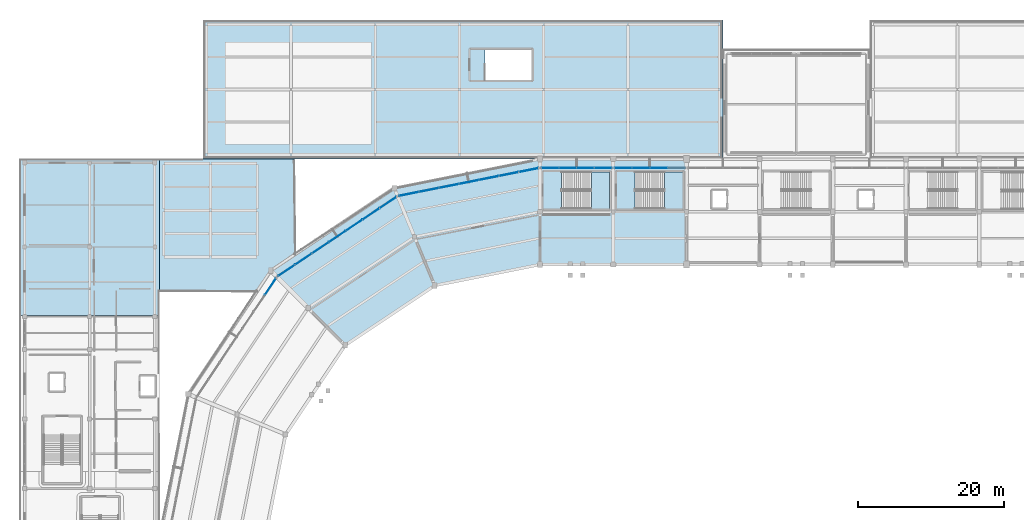
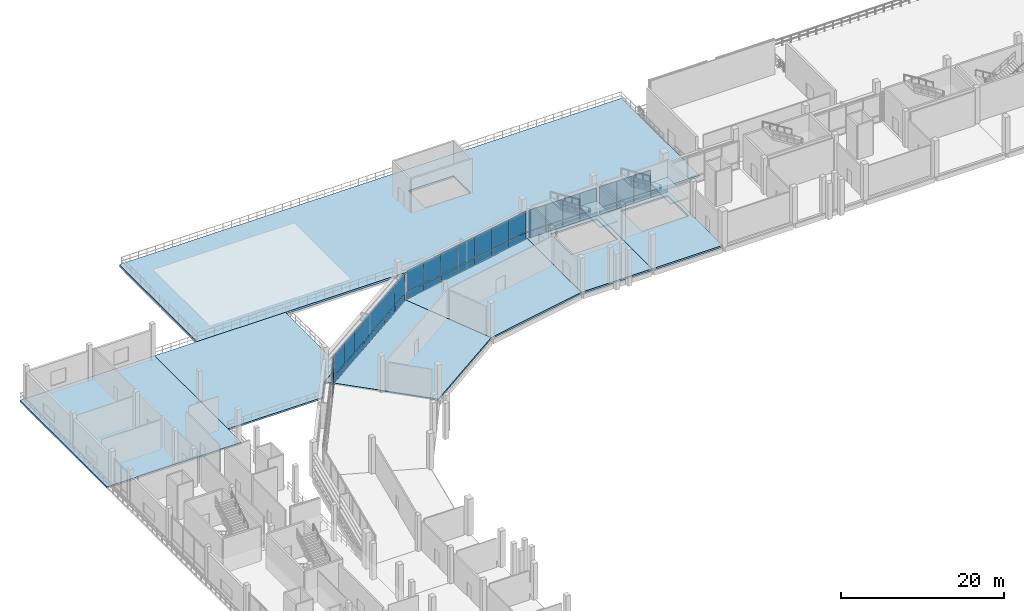
# One storey, part 66 of 111: 45 plates, 9 slabs, 7 elements without a shape of their own.
"""IFC4 building model written with IfcOpenShell, lengths in metres."""

from ifc_helpers import new_model, si_unit, direction, frame, origin, origin_2d, place, context, subcontext, project, spatial, polyline, rectangle, outline, extrude, material, layer, layer_set, type_object, element, aggregate, save


model = new_model("IFC4")

# Units and contexts
model_context = context("Model", 3, precision=1e-05, world=origin(), true_north=direction((0.0, 1.0)))
body_context = subcontext(model_context, "Body", "Model", "MODEL_VIEW")
ifc_project = project(units=[si_unit("LENGTHUNIT", "METRE"), si_unit("AREAUNIT", "SQUARE_METRE"), si_unit("VOLUMEUNIT", "CUBIC_METRE"), si_unit("PLANEANGLEUNIT", "RADIAN"), si_unit("MASSUNIT", "GRAM", prefix="KILO")], contexts=[model_context])

# Site, building, storey
site_placement = place(None, origin())
site = spatial("IfcSite", under=ifc_project, at=site_placement, CompositionType="ELEMENT")
building_placement = place(site_placement, origin())
building = spatial("IfcBuilding", under=site, at=building_placement, Name="Candeia Ridge Stadium", CompositionType="ELEMENT")
storey_placement = place(building_placement, frame((0.0, 0.0, 16.199951171875)))
storey = spatial("IfcBuildingStorey", under=building, at=storey_placement, Name="L03", CompositionType="ELEMENT", Elevation=16.199951171875)

# Stair, slab
ifc_material_1 = material(Name="Concrete C40/50", Category="concrete")
stair_type = type_object("IfcStairType", Name="Enclosed Core Half-Turn Stair 2450", PredefinedType="HALF_TURN_STAIR", material=ifc_material_1)
stair_1_placement = place(storey_placement, origin())
stair_1 = element("IfcStair", 1, at=stair_1_placement, inside=storey, type_object=stair_type, Name="L03 Enclosed exit stair ST01", PredefinedType="HALF_TURN_STAIR")
ifc_layer_1 = layer(ifc_material_1, 0.199951171875, Name="Concrete C40/50", Category="concrete")
ifc_layer_set_1 = layer_set([ifc_layer_1], Name="Concrete C40/50")
slab_type_1 = type_object("IfcSlabType", Name="Core Stair Landing Slab 200", PredefinedType="LANDING", material=ifc_layer_set_1)
slab_1_placement = place(storey_placement, frame((0.0, 0.0, 2.5)))
slab_1 = element("IfcSlab", 2, at=slab_1_placement, type_object=slab_type_1, Name="ST01 landing 1", PredefinedType="LANDING", context=body_context, shape_type="SweptSolid", body=[
    extrude(outline(polyline([(78.010009765625, 140.199951171875), (80.5, 140.199951171875), (80.5, 145.25), (78.010009765625, 145.25), (78.010009765625, 140.199951171875)])), origin(), (0.0, 0.0, 1.0), 0.199951171875),
])
aggregate(stair_1, [slab_1])

stair_2_placement = place(storey_placement, origin())
stair_2 = element("IfcStair", 3, at=stair_2_placement, inside=storey, type_object=stair_type, Name="L03 Enclosed exit stair ST09", PredefinedType="HALF_TURN_STAIR")
slab_2_placement = place(storey_placement, frame((0.0, 0.0, 2.5)))
slab_2 = element("IfcSlab", 4, at=slab_2_placement, type_object=slab_type_1, Name="ST09 landing 1", PredefinedType="LANDING", context=body_context, shape_type="SweptSolid", body=[
    extrude(outline(polyline([(88.010009765625, 140.199951171875), (90.5, 140.199951171875), (90.5, 145.25), (88.010009765625, 145.25), (88.010009765625, 140.199951171875)])), origin(), (0.0, 0.0, 1.0), 0.199951171875),
])
aggregate(stair_2, [slab_2])

# Slabs
ifc_layer_2 = layer(ifc_material_1, 0.25, Name="Concrete C40/50", Category="concrete")
ifc_layer_set_2 = layer_set([ifc_layer_2], Name="Concrete C40/50")
slab_type_2 = type_object("IfcSlabType", Name="Hospitality & Museum Slab 250", PredefinedType="FLOOR", material=ifc_layer_set_2)
slab_3_placement = place(storey_placement, frame((0.0, 0.0, -0.25)))
element("IfcSlab", 5, at=slab_3_placement, inside=storey, type_object=slab_type_2, Name="Bowl concourse sector slab L03 bay 06 SLB-L03-0114", PredefinedType="FLOOR", context=body_context, shape_type="SweptSolid", body=[
    extrude(outline(polyline([(81.0, 132.60009765625), (81.0, 147.0), (91.0, 147.0), (91.0, 132.60009765625), (81.0, 132.60009765625)]), holes=[polyline([(83.95068359375, 140.199951171875), (90.5, 140.199951171875), (90.5, 145.25), (83.95068359375, 145.25), (83.95068359375, 140.199951171875)])]), origin(), (0.0, 0.0, 1.0), 0.25),
])
slab_4_placement = place(storey_placement, frame((0.0, 0.0, -0.25)))
element("IfcSlab", 6, at=slab_4_placement, inside=storey, type_object=slab_type_2, Name="Bowl concourse sector slab L03 bay 07 SLB-L03-0115", PredefinedType="FLOOR", context=body_context, shape_type="SweptSolid", body=[
    extrude(outline(polyline([(71.0, 132.60009765625), (71.0, 147.0), (81.0, 147.0), (81.0, 132.60009765625), (71.0, 132.60009765625)]), holes=[polyline([(73.95068359375, 140.199951171875), (80.5, 140.199951171875), (80.5, 145.25), (73.95068359375, 145.25), (73.95068359375, 140.199951171875)])]), origin(), (0.0, 0.0, 1.0), 0.25),
])
slab_5_placement = place(storey_placement, frame((0.0, 0.0, -0.25)))
element("IfcSlab", 7, at=slab_5_placement, inside=storey, type_object=slab_type_2, Name="Bowl concourse sector slab L03 bay 08 SLB-L03-0116", PredefinedType="FLOOR", context=body_context, shape_type="SweptSolid", body=[
    extrude(outline(polyline([(56.611083984375, 129.73779296875), (51.1005859375, 143.041748046875), (71.0, 147.0), (71.0, 132.60009765625), (56.611083984375, 129.73779296875)])), origin(), (0.0, 0.0, 1.0), 0.25),
])
slab_6_placement = place(storey_placement, frame((0.0, 0.0, -0.25)))
element("IfcSlab", 8, at=slab_6_placement, inside=storey, type_object=slab_type_2, Name="Bowl concourse sector slab L03 bay 09 SLB-L03-0117", PredefinedType="FLOOR", context=body_context, shape_type="SweptSolid", body=[
    extrude(outline(polyline([(44.446044921875, 121.609375), (34.263671875, 131.791748046875), (51.1005859375, 143.041748046875), (56.611083984375, 129.73779296875), (44.446044921875, 121.609375)])), origin(), (0.0, 0.0, 1.0), 0.25),
])
slab_7_placement = place(storey_placement, frame((0.0, 0.0, -0.25)))
element("IfcSlab", 9, at=slab_7_placement, inside=storey, type_object=slab_type_2, Name="Wing floor slab west SLB-L03-0281", PredefinedType="FLOOR", context=body_context, shape_type="SweptSolid", body=[
    extrude(outline(polyline([(0.0, 125.666748046875), (0.0, 147.0), (19.0, 147.0), (19.0, 125.666748046875), (0.0, 125.666748046875)])), origin(), (0.0, 0.0, 1.0), 0.25),
])
slab_8_placement = place(storey_placement, frame((0.0, 0.0, -0.25)))
element("IfcSlab", 10, at=slab_8_placement, inside=storey, type_object=slab_type_2, Name="Wing floor slab sp_nw SLB-L03-0294", PredefinedType="FLOOR", context=body_context, shape_type="SweptSolid", body=[
    extrude(outline(polyline([(19.0, 147.0), (37.5, 147.0), (37.5, 133.960205078125), (34.227783203125, 131.773681640625), (34.227294921875, 131.7734375), (34.226806640625, 131.773193359375), (34.2265625, 131.772705078125), (34.226318359375, 131.772216796875), (32.373779296875, 129.0), (19.0, 129.0), (19.0, 147.0)])), origin(), (0.0, 0.0, 1.0), 0.25),
])

# Curtain wall, plates
ifc_material_2 = material(Name="Aluminium Anodized Warm Bronze", Category="aluminium")
curtain_wall_type = type_object("IfcCurtainWallType", Name="Concourse Recessed Unitised Curtain Wall", PredefinedType="NOTDEFINED", material=ifc_material_2)
curtain_wall_1_placement = place(storey_placement, origin())
curtain_wall_1 = element("IfcCurtainWall", 11, at=curtain_wall_1_placement, inside=storey, type_object=curtain_wall_type, Name="Unitised curtain wall CW-BWL-L03-05", PredefinedType="NOTDEFINED")
ifc_material_3 = material(Name="Aluminium Insulated Spandrel", Category="aluminium")
ifc_layer_3 = layer(ifc_material_3, 0.06494140625, Name="Aluminium Insulated Spandrel", Category="aluminium")
ifc_layer_set_3 = layer_set([ifc_layer_3], Name="Aluminium Insulated Spandrel")
plate_type_1 = type_object("IfcPlateType", Name="Insulated Bronze Spandrel Panel SP1", PredefinedType="CURTAIN_PANEL", material=ifc_layer_set_3)
plate_1_placement = place(storey_placement, frame((89.614990234375, 145.800048828125, 0.0400390625), z_axis=(0.0, 0.0, 1.0), x_axis=(-1.0, 0.0, 0.0)))
plate_1 = element("IfcPlate", 12, at=plate_1_placement, type_object=plate_type_1, Name="Curtain wall spandrel panel CW-BWL-L03-05-SP0", PredefinedType="CURTAIN_PANEL", context=body_context, shape_type="SweptSolid", body=[
    extrude(rectangle(XDim=2.340087890625, YDim=0.06494140625, at=origin_2d()), origin(), (0.0, 0.0, 1.0), 0.97119140625),
])
plate_2_placement = place(storey_placement, frame((87.205078125, 145.800048828125, 0.0400390625), z_axis=(0.0, 0.0, 1.0), x_axis=(-1.0, 0.0, 0.0)))
plate_2 = element("IfcPlate", 13, at=plate_2_placement, type_object=plate_type_1, Name="Curtain wall spandrel panel CW-BWL-L03-05-SP1", PredefinedType="CURTAIN_PANEL", context=body_context, shape_type="SweptSolid", body=[
    extrude(rectangle(XDim=2.340087890625, YDim=0.06494140625, at=origin_2d()), origin(), (0.0, 0.0, 1.0), 0.97119140625),
])
plate_3_placement = place(storey_placement, frame((84.794921875, 145.800048828125, 0.0400390625), z_axis=(0.0, 0.0, 1.0), x_axis=(-1.0, 0.0, 0.0)))
plate_3 = element("IfcPlate", 14, at=plate_3_placement, type_object=plate_type_1, Name="Curtain wall spandrel panel CW-BWL-L03-05-SP2", PredefinedType="CURTAIN_PANEL", context=body_context, shape_type="SweptSolid", body=[
    extrude(rectangle(XDim=2.340087890625, YDim=0.06494140625, at=origin_2d()), origin(), (0.0, 0.0, 1.0), 0.97119140625),
])
plate_4_placement = place(storey_placement, frame((82.385009765625, 145.800048828125, 0.0400390625), z_axis=(0.0, 0.0, 1.0), x_axis=(-1.0, 0.0, 0.0)))
plate_4 = element("IfcPlate", 15, at=plate_4_placement, type_object=plate_type_1, Name="Curtain wall spandrel panel CW-BWL-L03-05-SP3", PredefinedType="CURTAIN_PANEL", context=body_context, shape_type="SweptSolid", body=[
    extrude(rectangle(XDim=2.340087890625, YDim=0.06494140625, at=origin_2d()), origin(), (0.0, 0.0, 1.0), 0.97119140625),
])

# Curtain wall, plate
curtain_wall_2_placement = place(storey_placement, origin())
curtain_wall_2 = element("IfcCurtainWall", 16, at=curtain_wall_2_placement, inside=storey, type_object=curtain_wall_type, Name="Unitised curtain wall CW-BWL-L03-09", PredefinedType="NOTDEFINED")
plate_5_placement = place(storey_placement, frame((34.206787109375, 129.615478515625, 0.0400390625), z_axis=(0.0, 0.0, 1.0), x_axis=(-0.555571447533, -0.831468800789, 0.0)))
plate_5 = element("IfcPlate", 17, at=plate_5_placement, type_object=plate_type_1, Name="Curtain wall spandrel panel CW-BWL-L03-09-SP0", PredefinedType="CURTAIN_PANEL", context=body_context, shape_type="SweptSolid", body=[
    extrude(rectangle(XDim=2.710205078125, YDim=0.06494140625, at=origin_2d()), origin(), (0.0, 0.0, 1.0), 0.97119140625),
])

# Curtain wall, plates
curtain_wall_3_placement = place(storey_placement, origin())
curtain_wall_3 = element("IfcCurtainWall", 18, at=curtain_wall_3_placement, inside=storey, type_object=curtain_wall_type, Name="Unitised curtain wall CW-BWL-L03-06", PredefinedType="NOTDEFINED")
ifc_layer_4 = layer(ifc_material_3, 0.06494140625, Name="Aluminium Insulated Spandrel", Category="aluminium")
ifc_layer_set_4 = layer_set([ifc_layer_4], Name="Aluminium Insulated Spandrel")
plate_type_2 = type_object("IfcPlateType", Name="Insulated Bronze Spandrel Panel SP2", PredefinedType="CURTAIN_PANEL", material=ifc_layer_set_4)
plate_6_placement = place(storey_placement, frame((79.614990234375, 145.800048828125, 0.0400390625), z_axis=(0.0, 0.0, 1.0), x_axis=(-1.0, 0.0, 0.0)))
plate_6 = element("IfcPlate", 19, at=plate_6_placement, type_object=plate_type_2, Name="Curtain wall spandrel panel CW-BWL-L03-06-SP0", PredefinedType="CURTAIN_PANEL", context=body_context, shape_type="SweptSolid", body=[
    extrude(rectangle(XDim=2.340087890625, YDim=0.06494140625, at=origin_2d()), origin(), (0.0, 0.0, 1.0), 0.97119140625),
])
plate_7_placement = place(storey_placement, frame((77.205078125, 145.800048828125, 0.0400390625), z_axis=(0.0, 0.0, 1.0), x_axis=(-1.0, 0.0, 0.0)))
plate_7 = element("IfcPlate", 20, at=plate_7_placement, type_object=plate_type_2, Name="Curtain wall spandrel panel CW-BWL-L03-06-SP1", PredefinedType="CURTAIN_PANEL", context=body_context, shape_type="SweptSolid", body=[
    extrude(rectangle(XDim=2.340087890625, YDim=0.06494140625, at=origin_2d()), origin(), (0.0, 0.0, 1.0), 0.97119140625),
])
plate_8_placement = place(storey_placement, frame((74.794921875, 145.800048828125, 0.0400390625), z_axis=(0.0, 0.0, 1.0), x_axis=(-1.0, 0.0, 0.0)))
plate_8 = element("IfcPlate", 21, at=plate_8_placement, type_object=plate_type_2, Name="Curtain wall spandrel panel CW-BWL-L03-06-SP2", PredefinedType="CURTAIN_PANEL", context=body_context, shape_type="SweptSolid", body=[
    extrude(rectangle(XDim=2.340087890625, YDim=0.06494140625, at=origin_2d()), origin(), (0.0, 0.0, 1.0), 0.97119140625),
])
plate_9_placement = place(storey_placement, frame((72.385009765625, 145.800048828125, 0.0400390625), z_axis=(0.0, 0.0, 1.0), x_axis=(-1.0, 0.0, 0.0)))
plate_9 = element("IfcPlate", 22, at=plate_9_placement, type_object=plate_type_2, Name="Curtain wall spandrel panel CW-BWL-L03-06-SP3", PredefinedType="CURTAIN_PANEL", context=body_context, shape_type="SweptSolid", body=[
    extrude(rectangle(XDim=2.340087890625, YDim=0.06494140625, at=origin_2d()), origin(), (0.0, 0.0, 1.0), 0.97119140625),
])

curtain_wall_4_placement = place(storey_placement, origin())
curtain_wall_4 = element("IfcCurtainWall", 23, at=curtain_wall_4_placement, inside=storey, type_object=curtain_wall_type, Name="Unitised curtain wall CW-BWL-L03-07", PredefinedType="NOTDEFINED")
ifc_layer_5 = layer(ifc_material_3, 0.06494140625, Name="Aluminium Insulated Spandrel", Category="aluminium")
ifc_layer_set_5 = layer_set([ifc_layer_5], Name="Aluminium Insulated Spandrel")
plate_type_3 = type_object("IfcPlateType", Name="Insulated Bronze Spandrel Panel SP4", PredefinedType="CURTAIN_PANEL", material=ifc_layer_set_5)
plate_10_placement = place(storey_placement, frame((69.460205078125, 145.49365234375, 0.0400390625), z_axis=(0.0, 0.0, 1.0), x_axis=(-0.980785280696, -0.195090320544, 0.0)))
plate_10 = element("IfcPlate", 24, at=plate_10_placement, type_object=plate_type_3, Name="Curtain wall spandrel panel CW-BWL-L03-07-SP0", PredefinedType="CURTAIN_PANEL", context=body_context, shape_type="SweptSolid", body=[
    extrude(rectangle(XDim=2.710205078125, YDim=0.06494140625, at=origin_2d()), origin(), (0.0, 0.0, 1.0), 0.981201171875),
])
plate_11_placement = place(storey_placement, frame((66.7333984375, 144.951416015625, 0.0400390625), z_axis=(0.0, 0.0, 1.0), x_axis=(-0.980785280696, -0.195090320544, 0.0)))
plate_11 = element("IfcPlate", 25, at=plate_11_placement, type_object=plate_type_3, Name="Curtain wall spandrel panel CW-BWL-L03-07-SP1", PredefinedType="CURTAIN_PANEL", context=body_context, shape_type="SweptSolid", body=[
    extrude(rectangle(XDim=2.710205078125, YDim=0.06494140625, at=origin_2d()), origin(), (0.0, 0.0, 1.0), 0.981201171875),
])
plate_12_placement = place(storey_placement, frame((64.006591796875, 144.408935546875, 0.0400390625), z_axis=(0.0, 0.0, 1.0), x_axis=(-0.980785280696, -0.195090320544, 0.0)))
plate_12 = element("IfcPlate", 26, at=plate_12_placement, type_object=plate_type_3, Name="Curtain wall spandrel panel CW-BWL-L03-07-SP2", PredefinedType="CURTAIN_PANEL", context=body_context, shape_type="SweptSolid", body=[
    extrude(rectangle(XDim=2.710205078125, YDim=0.06494140625, at=origin_2d()), origin(), (0.0, 0.0, 1.0), 0.981201171875),
])
plate_13_placement = place(storey_placement, frame((61.27978515625, 143.86669921875, 0.0400390625), z_axis=(0.0, 0.0, 1.0), x_axis=(-0.980785280696, -0.195090320544, 0.0)))
plate_13 = element("IfcPlate", 27, at=plate_13_placement, type_object=plate_type_3, Name="Curtain wall spandrel panel CW-BWL-L03-07-SP3", PredefinedType="CURTAIN_PANEL", context=body_context, shape_type="SweptSolid", body=[
    extrude(rectangle(XDim=2.710205078125, YDim=0.06494140625, at=origin_2d()), origin(), (0.0, 0.0, 1.0), 0.981201171875),
])
plate_14_placement = place(storey_placement, frame((58.552978515625, 143.32421875, 0.0400390625), z_axis=(0.0, 0.0, 1.0), x_axis=(-0.980785280696, -0.195090320544, 0.0)))
plate_14 = element("IfcPlate", 28, at=plate_14_placement, type_object=plate_type_3, Name="Curtain wall spandrel panel CW-BWL-L03-07-SP4", PredefinedType="CURTAIN_PANEL", context=body_context, shape_type="SweptSolid", body=[
    extrude(rectangle(XDim=2.710205078125, YDim=0.06494140625, at=origin_2d()), origin(), (0.0, 0.0, 1.0), 0.981201171875),
])
plate_15_placement = place(storey_placement, frame((55.826416015625, 142.78173828125, 0.0400390625), z_axis=(0.0, 0.0, 1.0), x_axis=(-0.980785280696, -0.195090320544, 0.0)))
plate_15 = element("IfcPlate", 29, at=plate_15_placement, type_object=plate_type_3, Name="Curtain wall spandrel panel CW-BWL-L03-07-SP5", PredefinedType="CURTAIN_PANEL", context=body_context, shape_type="SweptSolid", body=[
    extrude(rectangle(XDim=2.710205078125, YDim=0.06494140625, at=origin_2d()), origin(), (0.0, 0.0, 1.0), 0.981201171875),
])
plate_16_placement = place(storey_placement, frame((53.099609375, 142.239501953125, 0.0400390625), z_axis=(0.0, 0.0, 1.0), x_axis=(-0.980785280696, -0.195090320544, 0.0)))
plate_16 = element("IfcPlate", 30, at=plate_16_placement, type_object=plate_type_3, Name="Curtain wall spandrel panel CW-BWL-L03-07-SP6", PredefinedType="CURTAIN_PANEL", context=body_context, shape_type="SweptSolid", body=[
    extrude(rectangle(XDim=2.710205078125, YDim=0.06494140625, at=origin_2d()), origin(), (0.0, 0.0, 1.0), 0.981201171875),
])

curtain_wall_5_placement = place(storey_placement, origin())
curtain_wall_5 = element("IfcCurtainWall", 31, at=curtain_wall_5_placement, inside=storey, type_object=curtain_wall_type, Name="Unitised curtain wall CW-BWL-L03-08", PredefinedType="NOTDEFINED")
ifc_layer_6 = layer(ifc_material_3, 0.06494140625, Name="Aluminium Insulated Spandrel", Category="aluminium")
ifc_layer_set_6 = layer_set([ifc_layer_6], Name="Aluminium Insulated Spandrel")
plate_type_4 = type_object("IfcPlateType", Name="Insulated Bronze Spandrel Panel SP5", PredefinedType="CURTAIN_PANEL", material=ifc_layer_set_6)
plate_17_placement = place(storey_placement, frame((50.254150390625, 141.060791015625, 0.0400390625), z_axis=(0.0, 0.0, 1.0), x_axis=(-0.831468800789, -0.555571447533, 0.0)))
plate_17 = element("IfcPlate", 32, at=plate_17_placement, type_object=plate_type_4, Name="Curtain wall spandrel panel CW-BWL-L03-08-SP0", PredefinedType="CURTAIN_PANEL", context=body_context, shape_type="SweptSolid", body=[
    extrude(rectangle(XDim=2.710205078125, YDim=0.06494140625, at=origin_2d()), origin(), (0.0, 0.0, 1.0), 0.97119140625),
])
plate_18_placement = place(storey_placement, frame((47.942626953125, 139.51611328125, 0.0400390625), z_axis=(0.0, 0.0, 1.0), x_axis=(-0.831468800789, -0.555571447533, 0.0)))
plate_18 = element("IfcPlate", 33, at=plate_18_placement, type_object=plate_type_4, Name="Curtain wall spandrel panel CW-BWL-L03-08-SP1", PredefinedType="CURTAIN_PANEL", context=body_context, shape_type="SweptSolid", body=[
    extrude(rectangle(XDim=2.710205078125, YDim=0.06494140625, at=origin_2d()), origin(), (0.0, 0.0, 1.0), 0.97119140625),
])
plate_19_placement = place(storey_placement, frame((45.630859375, 137.9716796875, 0.0400390625), z_axis=(0.0, 0.0, 1.0), x_axis=(-0.831468800789, -0.555571447533, 0.0)))
plate_19 = element("IfcPlate", 34, at=plate_19_placement, type_object=plate_type_4, Name="Curtain wall spandrel panel CW-BWL-L03-08-SP2", PredefinedType="CURTAIN_PANEL", context=body_context, shape_type="SweptSolid", body=[
    extrude(rectangle(XDim=2.710205078125, YDim=0.06494140625, at=origin_2d()), origin(), (0.0, 0.0, 1.0), 0.97119140625),
])
plate_20_placement = place(storey_placement, frame((43.3193359375, 136.427001953125, 0.0400390625), z_axis=(0.0, 0.0, 1.0), x_axis=(-0.831468800789, -0.555571447533, 0.0)))
plate_20 = element("IfcPlate", 35, at=plate_20_placement, type_object=plate_type_4, Name="Curtain wall spandrel panel CW-BWL-L03-08-SP3", PredefinedType="CURTAIN_PANEL", context=body_context, shape_type="SweptSolid", body=[
    extrude(rectangle(XDim=2.710205078125, YDim=0.06494140625, at=origin_2d()), origin(), (0.0, 0.0, 1.0), 0.97119140625),
])
plate_21_placement = place(storey_placement, frame((41.0078125, 134.882568359375, 0.0400390625), z_axis=(0.0, 0.0, 1.0), x_axis=(-0.831468800789, -0.555571447533, 0.0)))
plate_21 = element("IfcPlate", 36, at=plate_21_placement, type_object=plate_type_4, Name="Curtain wall spandrel panel CW-BWL-L03-08-SP4", PredefinedType="CURTAIN_PANEL", context=body_context, shape_type="SweptSolid", body=[
    extrude(rectangle(XDim=2.710205078125, YDim=0.06494140625, at=origin_2d()), origin(), (0.0, 0.0, 1.0), 0.97119140625),
])
plate_22_placement = place(storey_placement, frame((38.696044921875, 133.337890625, 0.0400390625), z_axis=(0.0, 0.0, 1.0), x_axis=(-0.831468800789, -0.555571447533, 0.0)))
plate_22 = element("IfcPlate", 37, at=plate_22_placement, type_object=plate_type_4, Name="Curtain wall spandrel panel CW-BWL-L03-08-SP5", PredefinedType="CURTAIN_PANEL", context=body_context, shape_type="SweptSolid", body=[
    extrude(rectangle(XDim=2.710205078125, YDim=0.06494140625, at=origin_2d()), origin(), (0.0, 0.0, 1.0), 0.97119140625),
])
plate_23_placement = place(storey_placement, frame((36.384521484375, 131.793212890625, 0.0400390625), z_axis=(0.0, 0.0, 1.0), x_axis=(-0.831468800789, -0.555571447533, 0.0)))
plate_23 = element("IfcPlate", 38, at=plate_23_placement, type_object=plate_type_4, Name="Curtain wall spandrel panel CW-BWL-L03-08-SP6", PredefinedType="CURTAIN_PANEL", context=body_context, shape_type="SweptSolid", body=[
    extrude(rectangle(XDim=2.710205078125, YDim=0.06494140625, at=origin_2d()), origin(), (0.0, 0.0, 1.0), 0.97119140625),
])

# Slab
ifc_layer_7 = layer(ifc_material_1, 0.280029296875, Name="Concrete C40/50", Category="concrete")
ifc_layer_set_7 = layer_set([ifc_layer_7], Name="Concrete C40/50")
slab_type_3 = type_object("IfcSlabType", Name="Planted Roof Garden Deck 280", PredefinedType="ROOF", material=ifc_layer_set_7)
slab_9_placement = place(storey_placement, frame((0.0, 0.0, -0.280029296875)))
element("IfcSlab", 39, at=slab_9_placement, inside=storey, type_object=slab_type_3, Name="Planted roof garden slab SLB-L03-0291", PredefinedType="ROOF", context=body_context, shape_type="SweptSolid", body=[
    extrude(outline(polyline([(25.0, 147.0), (25.0, 166.0), (96.0, 166.0), (96.0, 147.0), (25.0, 147.0)]), holes=[polyline([(63.50048828125, 157.800048828125), (69.89990234375, 157.800048828125), (69.89990234375, 161.949951171875), (63.50048828125, 161.949951171875), (63.50048828125, 157.800048828125)])]), origin(), (0.0, 0.0, 1.0), 0.280029296875),
])

# Plate
ifc_material_4 = material(Name="Tempered Low-E Double Glazing", Category="glass")
ifc_layer_8 = layer(ifc_material_4, 0.035888671875, Name="Tempered Low-E Double Glazing", Category="glass")
ifc_layer_set_8 = layer_set([ifc_layer_8], Name="Tempered Low-E Double Glazing")
plate_type_5 = type_object("IfcPlateType", Name="Solar Control Vision Glass Panel GP1", PredefinedType="CURTAIN_PANEL", material=ifc_layer_set_8)
plate_24_placement = place(storey_placement, frame((34.206787109375, 129.615478515625, 1.09130859375), z_axis=(0.0, 0.0, 1.0), x_axis=(-0.555571447533, -0.831468800789, 0.0)))
plate_24 = element("IfcPlate", 40, at=plate_24_placement, type_object=plate_type_5, Name="Curtain wall vision glass panel CW-BWL-L03-09-GP0", PredefinedType="CURTAIN_PANEL", context=body_context, shape_type="SweptSolid", body=[
    extrude(rectangle(XDim=2.710205078125, YDim=0.035888671875, at=origin_2d()), origin(), (0.0, 0.0, 1.0), 3.07373046875),
])

aggregate(curtain_wall_2, [plate_5, plate_24])

ifc_layer_9 = layer(ifc_material_4, 0.035888671875, Name="Tempered Low-E Double Glazing", Category="glass")
ifc_layer_set_9 = layer_set([ifc_layer_9], Name="Tempered Low-E Double Glazing")
plate_type_6 = type_object("IfcPlateType", Name="Solar Control Vision Glass Panel GP5", PredefinedType="CURTAIN_PANEL", material=ifc_layer_set_9)
plate_25_placement = place(storey_placement, frame((87.205078125, 145.800048828125, 1.09130859375), z_axis=(0.0, 0.0, 1.0), x_axis=(-1.0, 0.0, 0.0)))
plate_25 = element("IfcPlate", 41, at=plate_25_placement, type_object=plate_type_6, Name="Curtain wall vision glass panel CW-BWL-L03-05-GP1", PredefinedType="CURTAIN_PANEL", context=body_context, shape_type="SweptSolid", body=[
    extrude(rectangle(XDim=2.340087890625, YDim=0.035888671875, at=origin_2d()), origin(), (0.0, 0.0, 1.0), 3.07373046875),
])

plate_26_placement = place(storey_placement, frame((84.794921875, 145.800048828125, 1.09130859375), z_axis=(0.0, 0.0, 1.0), x_axis=(-1.0, 0.0, 0.0)))
plate_26 = element("IfcPlate", 42, at=plate_26_placement, type_object=plate_type_6, Name="Curtain wall vision glass panel CW-BWL-L03-05-GP2", PredefinedType="CURTAIN_PANEL", context=body_context, shape_type="SweptSolid", body=[
    extrude(rectangle(XDim=2.340087890625, YDim=0.035888671875, at=origin_2d()), origin(), (0.0, 0.0, 1.0), 3.07373046875),
])

plate_27_placement = place(storey_placement, frame((82.385009765625, 145.800048828125, 1.09130859375), z_axis=(0.0, 0.0, 1.0), x_axis=(-1.0, 0.0, 0.0)))
plate_27 = element("IfcPlate", 43, at=plate_27_placement, type_object=plate_type_6, Name="Curtain wall vision glass panel CW-BWL-L03-05-GP3", PredefinedType="CURTAIN_PANEL", context=body_context, shape_type="SweptSolid", body=[
    extrude(rectangle(XDim=2.340087890625, YDim=0.035888671875, at=origin_2d()), origin(), (0.0, 0.0, 1.0), 3.07373046875),
])

aggregate(curtain_wall_1, [plate_1, plate_2, plate_25, plate_3, plate_26, plate_4, plate_27])

ifc_layer_10 = layer(ifc_material_4, 0.035888671875, Name="Tempered Low-E Double Glazing", Category="glass")
ifc_layer_set_10 = layer_set([ifc_layer_10], Name="Tempered Low-E Double Glazing")
plate_type_7 = type_object("IfcPlateType", Name="Solar Control Vision Glass Panel GP6", PredefinedType="CURTAIN_PANEL", material=ifc_layer_set_10)
plate_28_placement = place(storey_placement, frame((79.614990234375, 145.800048828125, 1.09130859375), z_axis=(0.0, 0.0, 1.0), x_axis=(-1.0, 0.0, 0.0)))
plate_28 = element("IfcPlate", 44, at=plate_28_placement, type_object=plate_type_7, Name="Curtain wall vision glass panel CW-BWL-L03-06-GP0", PredefinedType="CURTAIN_PANEL", context=body_context, shape_type="SweptSolid", body=[
    extrude(rectangle(XDim=2.340087890625, YDim=0.035888671875, at=origin_2d()), origin(), (0.0, 0.0, 1.0), 3.07373046875),
])

plate_29_placement = place(storey_placement, frame((77.205078125, 145.800048828125, 1.09130859375), z_axis=(0.0, 0.0, 1.0), x_axis=(-1.0, 0.0, 0.0)))
plate_29 = element("IfcPlate", 45, at=plate_29_placement, type_object=plate_type_7, Name="Curtain wall vision glass panel CW-BWL-L03-06-GP1", PredefinedType="CURTAIN_PANEL", context=body_context, shape_type="SweptSolid", body=[
    extrude(rectangle(XDim=2.340087890625, YDim=0.035888671875, at=origin_2d()), origin(), (0.0, 0.0, 1.0), 3.07373046875),
])

plate_30_placement = place(storey_placement, frame((74.794921875, 145.800048828125, 1.09130859375), z_axis=(0.0, 0.0, 1.0), x_axis=(-1.0, 0.0, 0.0)))
plate_30 = element("IfcPlate", 46, at=plate_30_placement, type_object=plate_type_7, Name="Curtain wall vision glass panel CW-BWL-L03-06-GP2", PredefinedType="CURTAIN_PANEL", context=body_context, shape_type="SweptSolid", body=[
    extrude(rectangle(XDim=2.340087890625, YDim=0.035888671875, at=origin_2d()), origin(), (0.0, 0.0, 1.0), 3.07373046875),
])

plate_31_placement = place(storey_placement, frame((72.385009765625, 145.800048828125, 1.09130859375), z_axis=(0.0, 0.0, 1.0), x_axis=(-1.0, 0.0, 0.0)))
plate_31 = element("IfcPlate", 47, at=plate_31_placement, type_object=plate_type_7, Name="Curtain wall vision glass panel CW-BWL-L03-06-GP3", PredefinedType="CURTAIN_PANEL", context=body_context, shape_type="SweptSolid", body=[
    extrude(rectangle(XDim=2.340087890625, YDim=0.035888671875, at=origin_2d()), origin(), (0.0, 0.0, 1.0), 3.07373046875),
])

aggregate(curtain_wall_3, [plate_6, plate_28, plate_7, plate_29, plate_8, plate_30, plate_9, plate_31])

ifc_layer_11 = layer(ifc_material_4, 0.035888671875, Name="Tempered Low-E Double Glazing", Category="glass")
ifc_layer_set_11 = layer_set([ifc_layer_11], Name="Tempered Low-E Double Glazing")
plate_type_8 = type_object("IfcPlateType", Name="Solar Control Vision Glass Panel GP7", PredefinedType="CURTAIN_PANEL", material=ifc_layer_set_11)
plate_32_placement = place(storey_placement, frame((69.460205078125, 145.49365234375, 1.10107421875), z_axis=(0.0, 0.0, 1.0), x_axis=(-0.980785280696, -0.195090320544, 0.0)))
plate_32 = element("IfcPlate", 48, at=plate_32_placement, type_object=plate_type_8, Name="Curtain wall vision glass panel CW-BWL-L03-07-GP0", PredefinedType="CURTAIN_PANEL", context=body_context, shape_type="SweptSolid", body=[
    extrude(rectangle(XDim=2.710205078125, YDim=0.035888671875, at=origin_2d()), origin(), (0.0, 0.0, 1.0), 3.103759765625),
])

plate_33_placement = place(storey_placement, frame((66.7333984375, 144.951416015625, 1.10107421875), z_axis=(0.0, 0.0, 1.0), x_axis=(-0.980785280696, -0.195090320544, 0.0)))
plate_33 = element("IfcPlate", 49, at=plate_33_placement, type_object=plate_type_8, Name="Curtain wall vision glass panel CW-BWL-L03-07-GP1", PredefinedType="CURTAIN_PANEL", context=body_context, shape_type="SweptSolid", body=[
    extrude(rectangle(XDim=2.710205078125, YDim=0.035888671875, at=origin_2d()), origin(), (0.0, 0.0, 1.0), 3.103759765625),
])

plate_34_placement = place(storey_placement, frame((64.006591796875, 144.408935546875, 1.10107421875), z_axis=(0.0, 0.0, 1.0), x_axis=(-0.980785280696, -0.195090320544, 0.0)))
plate_34 = element("IfcPlate", 50, at=plate_34_placement, type_object=plate_type_8, Name="Curtain wall vision glass panel CW-BWL-L03-07-GP2", PredefinedType="CURTAIN_PANEL", context=body_context, shape_type="SweptSolid", body=[
    extrude(rectangle(XDim=2.710205078125, YDim=0.035888671875, at=origin_2d()), origin(), (0.0, 0.0, 1.0), 3.103759765625),
])

plate_35_placement = place(storey_placement, frame((61.27978515625, 143.86669921875, 1.10107421875), z_axis=(0.0, 0.0, 1.0), x_axis=(-0.980785280696, -0.195090320544, 0.0)))
plate_35 = element("IfcPlate", 51, at=plate_35_placement, type_object=plate_type_8, Name="Curtain wall vision glass panel CW-BWL-L03-07-GP3", PredefinedType="CURTAIN_PANEL", context=body_context, shape_type="SweptSolid", body=[
    extrude(rectangle(XDim=2.710205078125, YDim=0.035888671875, at=origin_2d()), origin(), (0.0, 0.0, 1.0), 3.103759765625),
])

plate_36_placement = place(storey_placement, frame((58.552978515625, 143.32421875, 1.10107421875), z_axis=(0.0, 0.0, 1.0), x_axis=(-0.980785280696, -0.195090320544, 0.0)))
plate_36 = element("IfcPlate", 52, at=plate_36_placement, type_object=plate_type_8, Name="Curtain wall vision glass panel CW-BWL-L03-07-GP4", PredefinedType="CURTAIN_PANEL", context=body_context, shape_type="SweptSolid", body=[
    extrude(rectangle(XDim=2.710205078125, YDim=0.035888671875, at=origin_2d()), origin(), (0.0, 0.0, 1.0), 3.103759765625),
])

plate_37_placement = place(storey_placement, frame((55.826416015625, 142.78173828125, 1.10107421875), z_axis=(0.0, 0.0, 1.0), x_axis=(-0.980785280696, -0.195090320544, 0.0)))
plate_37 = element("IfcPlate", 53, at=plate_37_placement, type_object=plate_type_8, Name="Curtain wall vision glass panel CW-BWL-L03-07-GP5", PredefinedType="CURTAIN_PANEL", context=body_context, shape_type="SweptSolid", body=[
    extrude(rectangle(XDim=2.710205078125, YDim=0.035888671875, at=origin_2d()), origin(), (0.0, 0.0, 1.0), 3.103759765625),
])

plate_38_placement = place(storey_placement, frame((53.099609375, 142.239501953125, 1.10107421875), z_axis=(0.0, 0.0, 1.0), x_axis=(-0.980785280696, -0.195090320544, 0.0)))
plate_38 = element("IfcPlate", 54, at=plate_38_placement, type_object=plate_type_8, Name="Curtain wall vision glass panel CW-BWL-L03-07-GP6", PredefinedType="CURTAIN_PANEL", context=body_context, shape_type="SweptSolid", body=[
    extrude(rectangle(XDim=2.710205078125, YDim=0.035888671875, at=origin_2d()), origin(), (0.0, 0.0, 1.0), 3.103759765625),
])

aggregate(curtain_wall_4, [plate_10, plate_32, plate_11, plate_33, plate_12, plate_34, plate_13, plate_35, plate_14, plate_36, plate_15, plate_37, plate_16, plate_38])

ifc_layer_12 = layer(ifc_material_4, 0.035888671875, Name="Tempered Low-E Double Glazing", Category="glass")
ifc_layer_set_12 = layer_set([ifc_layer_12], Name="Tempered Low-E Double Glazing")
plate_type_9 = type_object("IfcPlateType", Name="Solar Control Vision Glass Panel GP8", PredefinedType="CURTAIN_PANEL", material=ifc_layer_set_12)
plate_39_placement = place(storey_placement, frame((50.254150390625, 141.060791015625, 1.09130859375), z_axis=(0.0, 0.0, 1.0), x_axis=(-0.831468800789, -0.555571447533, 0.0)))
plate_39 = element("IfcPlate", 55, at=plate_39_placement, type_object=plate_type_9, Name="Curtain wall vision glass panel CW-BWL-L03-08-GP0", PredefinedType="CURTAIN_PANEL", context=body_context, shape_type="SweptSolid", body=[
    extrude(rectangle(XDim=2.710205078125, YDim=0.035888671875, at=origin_2d()), origin(), (0.0, 0.0, 1.0), 3.07373046875),
])

plate_40_placement = place(storey_placement, frame((47.942626953125, 139.51611328125, 1.09130859375), z_axis=(0.0, 0.0, 1.0), x_axis=(-0.831468800789, -0.555571447533, 0.0)))
plate_40 = element("IfcPlate", 56, at=plate_40_placement, type_object=plate_type_9, Name="Curtain wall vision glass panel CW-BWL-L03-08-GP1", PredefinedType="CURTAIN_PANEL", context=body_context, shape_type="SweptSolid", body=[
    extrude(rectangle(XDim=2.710205078125, YDim=0.035888671875, at=origin_2d()), origin(), (0.0, 0.0, 1.0), 3.07373046875),
])

plate_41_placement = place(storey_placement, frame((45.630859375, 137.9716796875, 1.09130859375), z_axis=(0.0, 0.0, 1.0), x_axis=(-0.831468800789, -0.555571447533, 0.0)))
plate_41 = element("IfcPlate", 57, at=plate_41_placement, type_object=plate_type_9, Name="Curtain wall vision glass panel CW-BWL-L03-08-GP2", PredefinedType="CURTAIN_PANEL", context=body_context, shape_type="SweptSolid", body=[
    extrude(rectangle(XDim=2.710205078125, YDim=0.035888671875, at=origin_2d()), origin(), (0.0, 0.0, 1.0), 3.07373046875),
])

plate_42_placement = place(storey_placement, frame((43.3193359375, 136.427001953125, 1.09130859375), z_axis=(0.0, 0.0, 1.0), x_axis=(-0.831468800789, -0.555571447533, 0.0)))
plate_42 = element("IfcPlate", 58, at=plate_42_placement, type_object=plate_type_9, Name="Curtain wall vision glass panel CW-BWL-L03-08-GP3", PredefinedType="CURTAIN_PANEL", context=body_context, shape_type="SweptSolid", body=[
    extrude(rectangle(XDim=2.710205078125, YDim=0.035888671875, at=origin_2d()), origin(), (0.0, 0.0, 1.0), 3.07373046875),
])

plate_43_placement = place(storey_placement, frame((41.0078125, 134.882568359375, 1.09130859375), z_axis=(0.0, 0.0, 1.0), x_axis=(-0.831468800789, -0.555571447533, 0.0)))
plate_43 = element("IfcPlate", 59, at=plate_43_placement, type_object=plate_type_9, Name="Curtain wall vision glass panel CW-BWL-L03-08-GP4", PredefinedType="CURTAIN_PANEL", context=body_context, shape_type="SweptSolid", body=[
    extrude(rectangle(XDim=2.710205078125, YDim=0.035888671875, at=origin_2d()), origin(), (0.0, 0.0, 1.0), 3.07373046875),
])

plate_44_placement = place(storey_placement, frame((38.696044921875, 133.337890625, 1.09130859375), z_axis=(0.0, 0.0, 1.0), x_axis=(-0.831468800789, -0.555571447533, 0.0)))
plate_44 = element("IfcPlate", 60, at=plate_44_placement, type_object=plate_type_9, Name="Curtain wall vision glass panel CW-BWL-L03-08-GP5", PredefinedType="CURTAIN_PANEL", context=body_context, shape_type="SweptSolid", body=[
    extrude(rectangle(XDim=2.710205078125, YDim=0.035888671875, at=origin_2d()), origin(), (0.0, 0.0, 1.0), 3.07373046875),
])

plate_45_placement = place(storey_placement, frame((36.384521484375, 131.793212890625, 1.09130859375), z_axis=(0.0, 0.0, 1.0), x_axis=(-0.831468800789, -0.555571447533, 0.0)))
plate_45 = element("IfcPlate", 61, at=plate_45_placement, type_object=plate_type_9, Name="Curtain wall vision glass panel CW-BWL-L03-08-GP6", PredefinedType="CURTAIN_PANEL", context=body_context, shape_type="SweptSolid", body=[
    extrude(rectangle(XDim=2.710205078125, YDim=0.035888671875, at=origin_2d()), origin(), (0.0, 0.0, 1.0), 3.07373046875),
])

aggregate(curtain_wall_5, [plate_17, plate_39, plate_18, plate_40, plate_19, plate_41, plate_20, plate_42, plate_21, plate_43, plate_22, plate_44, plate_23, plate_45])

save(model, "model.ifc")
